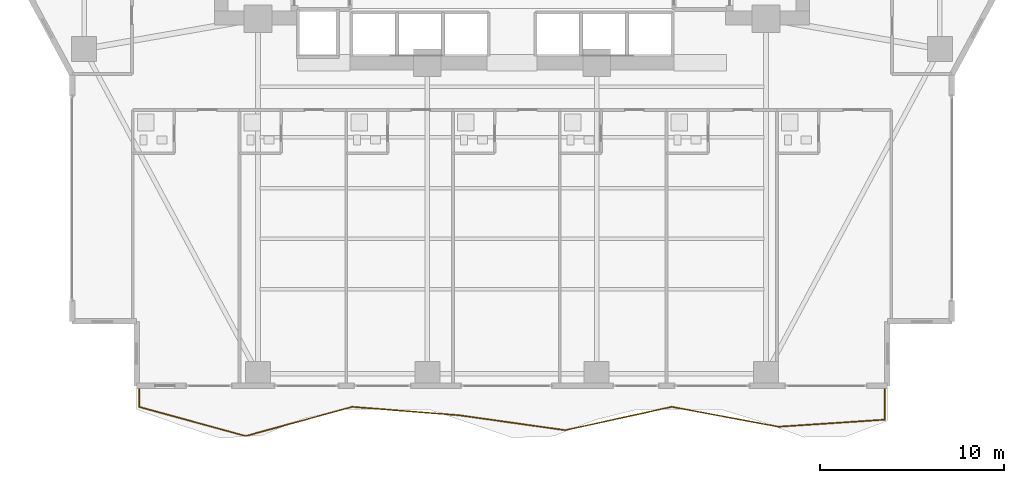
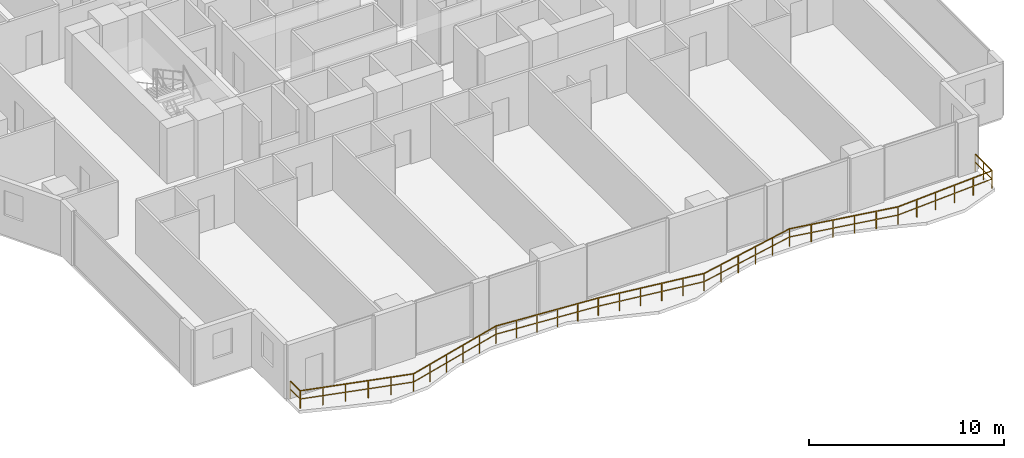
# One storey, part 26 of 29: 1 railing.
"""IFC4 building model written with IfcOpenShell, lengths in metres."""

from ifc_helpers import new_model, si_unit, direction, frame, origin, origin_2d, place, context, subcontext, project, spatial, rectangle, extrude, material, type_object, element, save


model = new_model("IFC4")

# Units and contexts
model_context = context("Model", 3, precision=1e-05, world=origin(), true_north=direction((0.0, 1.0)))
body_context = subcontext(model_context, "Body", "Model", "MODEL_VIEW")
ifc_project = project(units=[si_unit("LENGTHUNIT", "METRE"), si_unit("AREAUNIT", "SQUARE_METRE"), si_unit("VOLUMEUNIT", "CUBIC_METRE"), si_unit("PLANEANGLEUNIT", "RADIAN"), si_unit("MASSUNIT", "GRAM", prefix="KILO")], contexts=[model_context])

# Site, building, storey
site_placement = place(None, origin())
site = spatial("IfcSite", under=ifc_project, at=site_placement, CompositionType="ELEMENT")
building_placement = place(site_placement, origin())
building = spatial("IfcBuilding", under=site, at=building_placement, Name="Zuhayl Quay Hotel", CompositionType="ELEMENT")
storey_placement = place(building_placement, frame((0.0, 0.0, 158.550048828125)))
storey = spatial("IfcBuildingStorey", under=building, at=storey_placement, Name="L40", CompositionType="ELEMENT", Elevation=158.550048828125)

# Railing
ifc_material = material(Name="Anodised Aluminium and Laminated Glass", Category="aluminium")
railing_type = type_object("IfcRailingType", Name="RL_EXT_BAL_1100", PredefinedType="BALUSTRADE", material=ifc_material)
railing_placement = place(storey_placement, frame((-20.260009765625, -15.52001953125, 0.0)))
element("IfcRailing", 1, at=railing_placement, inside=storey, type_object=railing_type, Name="L40 Balcony and Terrace Guard GR_L40_BAL_S", PredefinedType="BALUSTRADE", context=body_context, shape_type="SweptSolid", body=[
    extrude(rectangle(XDim=0.048095703125, YDim=0.048095703125, at=origin_2d()), frame((0.0, 0.0, 1.09619140625), z_axis=(0.0, -1.0, 0.0), x_axis=(1.0, 0.0, 0.0)), (0.0, 0.0, 1.0), 1.02001953125),
    extrude(rectangle(XDim=0.0361328125, YDim=0.0361328125, at=origin_2d()), frame((0.0, 0.0, 0.58251953125), z_axis=(0.0, -1.0, 0.0), x_axis=(1.0, 0.0, 0.0)), (0.0, 0.0, 1.0), 1.02001953125),
    extrude(rectangle(XDim=0.048095703125, YDim=0.048095703125, at=origin_2d()), frame((0.0, -1.02001953125, 1.09619140625), z_axis=(0.964457150791, -0.264239293612, 0.0), x_axis=(0.264239293612, 0.964457150791, 0.0)), (0.0, 0.0, 1.0), 6.001953125),
    extrude(rectangle(XDim=0.0361328125, YDim=0.0361328125, at=origin_2d()), frame((0.0, -1.02001953125, 0.58251953125), z_axis=(0.964457150791, -0.264239293612, 0.0), x_axis=(0.264239293612, 0.964457150791, 0.0)), (0.0, 0.0, 1.0), 6.001953125),
    extrude(rectangle(XDim=0.048095703125, YDim=0.048095703125, at=origin_2d()), frame((5.78857421875, -2.60595703125, 1.09619140625), z_axis=(0.964457150791, 0.264239293612, 0.0), x_axis=(-0.264239293612, 0.964457150791, 0.0)), (0.0, 0.0, 1.0), 6.001953125),
    extrude(rectangle(XDim=0.0361328125, YDim=0.0361328125, at=origin_2d()), frame((5.78857421875, -2.60595703125, 0.58251953125), z_axis=(0.964457150791, 0.264239293612, 0.0), x_axis=(-0.264239293612, 0.964457150791, 0.0)), (0.0, 0.0, 1.0), 6.001953125),
    extrude(rectangle(XDim=0.048095703125, YDim=0.048095703125, at=origin_2d()), frame((11.5771484375, -1.02001953125, 1.09619140625), z_axis=(0.996930532198, -0.078291212609, 0.0), x_axis=(0.078291212609, 0.996930532198, 0.0)), (0.0, 0.0, 1.0), 5.806396484375),
    extrude(rectangle(XDim=0.0361328125, YDim=0.0361328125, at=origin_2d()), frame((11.5771484375, -1.02001953125, 0.58251953125), z_axis=(0.996930532198, -0.078291212609, 0.0), x_axis=(0.078291212609, 0.996930532198, 0.0)), (0.0, 0.0, 1.0), 5.806396484375),
    extrude(rectangle(XDim=0.048095703125, YDim=0.048095703125, at=origin_2d()), frame((17.36572265625, -1.474609375, 1.09619140625), z_axis=(0.990286613339, -0.139041085441, 0.0), x_axis=(0.139041085441, 0.990286613339, 0.0)), (0.0, 0.0, 1.0), 5.845458984375),
    extrude(rectangle(XDim=0.0361328125, YDim=0.0361328125, at=origin_2d()), frame((17.36572265625, -1.474609375, 0.58251953125), z_axis=(0.990286613339, -0.139041085441, 0.0), x_axis=(0.139041085441, 0.990286613339, 0.0)), (0.0, 0.0, 1.0), 5.845458984375),
    extrude(rectangle(XDim=0.048095703125, YDim=0.048095703125, at=origin_2d()), frame((23.154296875, -2.287353515625, 1.09619140625), z_axis=(0.976861834795, 0.213871353202, 0.0), x_axis=(-0.213871353202, 0.976861834795, 0.0)), (0.0, 0.0, 1.0), 5.92578125),
    extrude(rectangle(XDim=0.0361328125, YDim=0.0361328125, at=origin_2d()), frame((23.154296875, -2.287353515625, 0.58251953125), z_axis=(0.976861834795, 0.213871353202, 0.0), x_axis=(-0.213871353202, 0.976861834795, 0.0)), (0.0, 0.0, 1.0), 5.92578125),
    extrude(rectangle(XDim=0.048095703125, YDim=0.048095703125, at=origin_2d()), frame((28.94287109375, -1.02001953125, 1.09619140625), z_axis=(0.98304168129, -0.183382258808, 0.0), x_axis=(0.183382258808, 0.98304168129, 0.0)), (0.0, 0.0, 1.0), 5.888427734375),
    extrude(rectangle(XDim=0.0361328125, YDim=0.0361328125, at=origin_2d()), frame((28.94287109375, -1.02001953125, 0.58251953125), z_axis=(0.98304168129, -0.183382258808, 0.0), x_axis=(0.183382258808, 0.98304168129, 0.0)), (0.0, 0.0, 1.0), 5.888427734375),
    extrude(rectangle(XDim=0.048095703125, YDim=0.048095703125, at=origin_2d()), frame((34.7314453125, -2.099853515625, 1.09619140625), z_axis=(0.997817625487, 0.066030192087, 0.0), x_axis=(-0.066030192087, 0.997817625487, 0.0)), (0.0, 0.0, 1.0), 5.80126953125),
    extrude(rectangle(XDim=0.0361328125, YDim=0.0361328125, at=origin_2d()), frame((34.7314453125, -2.099853515625, 0.58251953125), z_axis=(0.997817625487, 0.066030192087, 0.0), x_axis=(-0.066030192087, 0.997817625487, 0.0)), (0.0, 0.0, 1.0), 5.80126953125),
    extrude(rectangle(XDim=0.048095703125, YDim=0.048095703125, at=origin_2d()), frame((40.52001953125, -1.716796875, 1.09619140625), z_axis=(0.0, 1.0, 0.0), x_axis=(-1.0, 0.0, 0.0)), (0.0, 0.0, 1.0), 1.716796875),
    extrude(rectangle(XDim=0.0361328125, YDim=0.0361328125, at=origin_2d()), frame((40.52001953125, -1.716796875, 0.58251953125), z_axis=(0.0, 1.0, 0.0), x_axis=(-1.0, 0.0, 0.0)), (0.0, 0.0, 1.0), 1.716796875),
    extrude(rectangle(XDim=0.0419921875, YDim=0.0419921875, at=origin_2d()), origin(), (0.0, 0.0, 1.0), 1.072021484375),
    extrude(rectangle(XDim=0.0419921875, YDim=0.0419921875, at=origin_2d()), frame((0.0, -1.02001953125, 0.0)), (0.0, 0.0, 1.0), 1.072021484375),
    extrude(rectangle(XDim=0.0419921875, YDim=0.0419921875, at=origin_2d()), frame((1.15771484375, -1.337158203125, 0.0)), (0.0, 0.0, 1.0), 1.072021484375),
    extrude(rectangle(XDim=0.0419921875, YDim=0.0419921875, at=origin_2d()), frame((2.3154296875, -1.654296875, 0.0)), (0.0, 0.0, 1.0), 1.072021484375),
    extrude(rectangle(XDim=0.0419921875, YDim=0.0419921875, at=origin_2d()), frame((3.47314453125, -1.9716796875, 0.0)), (0.0, 0.0, 1.0), 1.072021484375),
    extrude(rectangle(XDim=0.0419921875, YDim=0.0419921875, at=origin_2d()), frame((4.630859375, -2.288818359375, 0.0)), (0.0, 0.0, 1.0), 1.072021484375),
    extrude(rectangle(XDim=0.0419921875, YDim=0.0419921875, at=origin_2d()), frame((5.78857421875, -2.60595703125, 0.0)), (0.0, 0.0, 1.0), 1.072021484375),
    extrude(rectangle(XDim=0.0419921875, YDim=0.0419921875, at=origin_2d()), frame((6.9462890625, -2.288818359375, 0.0)), (0.0, 0.0, 1.0), 1.072021484375),
    extrude(rectangle(XDim=0.0419921875, YDim=0.0419921875, at=origin_2d()), frame((8.10400390625, -1.9716796875, 0.0)), (0.0, 0.0, 1.0), 1.072021484375),
    extrude(rectangle(XDim=0.0419921875, YDim=0.0419921875, at=origin_2d()), frame((9.26171875, -1.654296875, 0.0)), (0.0, 0.0, 1.0), 1.072021484375),
    extrude(rectangle(XDim=0.0419921875, YDim=0.0419921875, at=origin_2d()), frame((10.41943359375, -1.337158203125, 0.0)), (0.0, 0.0, 1.0), 1.072021484375),
    extrude(rectangle(XDim=0.0419921875, YDim=0.0419921875, at=origin_2d()), frame((11.5771484375, -1.02001953125, 0.0)), (0.0, 0.0, 1.0), 1.072021484375),
    extrude(rectangle(XDim=0.0419921875, YDim=0.0419921875, at=origin_2d()), frame((12.73486328125, -1.11083984375, 0.0)), (0.0, 0.0, 1.0), 1.072021484375),
    extrude(rectangle(XDim=0.0419921875, YDim=0.0419921875, at=origin_2d()), frame((13.892578125, -1.201904296875, 0.0)), (0.0, 0.0, 1.0), 1.072021484375),
    extrude(rectangle(XDim=0.0419921875, YDim=0.0419921875, at=origin_2d()), frame((15.05029296875, -1.292724609375, 0.0)), (0.0, 0.0, 1.0), 1.072021484375),
    extrude(rectangle(XDim=0.0419921875, YDim=0.0419921875, at=origin_2d()), frame((16.2080078125, -1.3837890625, 0.0)), (0.0, 0.0, 1.0), 1.072021484375),
    extrude(rectangle(XDim=0.0419921875, YDim=0.0419921875, at=origin_2d()), frame((17.36572265625, -1.474609375, 0.0)), (0.0, 0.0, 1.0), 1.072021484375),
    extrude(rectangle(XDim=0.0419921875, YDim=0.0419921875, at=origin_2d()), frame((18.5234375, -1.63720703125, 0.0)), (0.0, 0.0, 1.0), 1.072021484375),
    extrude(rectangle(XDim=0.0419921875, YDim=0.0419921875, at=origin_2d()), frame((19.68115234375, -1.7998046875, 0.0)), (0.0, 0.0, 1.0), 1.072021484375),
    extrude(rectangle(XDim=0.0419921875, YDim=0.0419921875, at=origin_2d()), frame((20.8388671875, -1.962158203125, 0.0)), (0.0, 0.0, 1.0), 1.072021484375),
    extrude(rectangle(XDim=0.0419921875, YDim=0.0419921875, at=origin_2d()), frame((21.99658203125, -2.124755859375, 0.0)), (0.0, 0.0, 1.0), 1.072021484375),
    extrude(rectangle(XDim=0.0419921875, YDim=0.0419921875, at=origin_2d()), frame((23.154296875, -2.287353515625, 0.0)), (0.0, 0.0, 1.0), 1.072021484375),
    extrude(rectangle(XDim=0.0419921875, YDim=0.0419921875, at=origin_2d()), frame((24.31201171875, -2.033935546875, 0.0)), (0.0, 0.0, 1.0), 1.072021484375),
    extrude(rectangle(XDim=0.0419921875, YDim=0.0419921875, at=origin_2d()), frame((25.4697265625, -1.780517578125, 0.0)), (0.0, 0.0, 1.0), 1.072021484375),
    extrude(rectangle(XDim=0.0419921875, YDim=0.0419921875, at=origin_2d()), frame((26.62744140625, -1.52685546875, 0.0)), (0.0, 0.0, 1.0), 1.072021484375),
    extrude(rectangle(XDim=0.0419921875, YDim=0.0419921875, at=origin_2d()), frame((27.78515625, -1.2734375, 0.0)), (0.0, 0.0, 1.0), 1.072021484375),
    extrude(rectangle(XDim=0.0419921875, YDim=0.0419921875, at=origin_2d()), frame((28.94287109375, -1.02001953125, 0.0)), (0.0, 0.0, 1.0), 1.072021484375),
    extrude(rectangle(XDim=0.0419921875, YDim=0.0419921875, at=origin_2d()), frame((30.1005859375, -1.236083984375, 0.0)), (0.0, 0.0, 1.0), 1.072021484375),
    extrude(rectangle(XDim=0.0419921875, YDim=0.0419921875, at=origin_2d()), frame((31.25830078125, -1.451904296875, 0.0)), (0.0, 0.0, 1.0), 1.072021484375),
    extrude(rectangle(XDim=0.0419921875, YDim=0.0419921875, at=origin_2d()), frame((32.416015625, -1.66796875, 0.0)), (0.0, 0.0, 1.0), 1.072021484375),
    extrude(rectangle(XDim=0.0419921875, YDim=0.0419921875, at=origin_2d()), frame((33.57373046875, -1.8837890625, 0.0)), (0.0, 0.0, 1.0), 1.072021484375),
    extrude(rectangle(XDim=0.0419921875, YDim=0.0419921875, at=origin_2d()), frame((34.7314453125, -2.099853515625, 0.0)), (0.0, 0.0, 1.0), 1.072021484375),
    extrude(rectangle(XDim=0.0419921875, YDim=0.0419921875, at=origin_2d()), frame((35.88916015625, -2.023193359375, 0.0)), (0.0, 0.0, 1.0), 1.072021484375),
    extrude(rectangle(XDim=0.0419921875, YDim=0.0419921875, at=origin_2d()), frame((37.046875, -1.946533203125, 0.0)), (0.0, 0.0, 1.0), 1.072021484375),
    extrude(rectangle(XDim=0.0419921875, YDim=0.0419921875, at=origin_2d()), frame((38.20458984375, -1.8701171875, 0.0)), (0.0, 0.0, 1.0), 1.072021484375),
    extrude(rectangle(XDim=0.0419921875, YDim=0.0419921875, at=origin_2d()), frame((39.3623046875, -1.79345703125, 0.0)), (0.0, 0.0, 1.0), 1.072021484375),
    extrude(rectangle(XDim=0.0419921875, YDim=0.0419921875, at=origin_2d()), frame((40.52001953125, -1.716796875, 0.0)), (0.0, 0.0, 1.0), 1.072021484375),
    extrude(rectangle(XDim=0.0419921875, YDim=0.0419921875, at=origin_2d()), frame((40.52001953125, -0.8583984375, 0.0)), (0.0, 0.0, 1.0), 1.072021484375),
    extrude(rectangle(XDim=0.0419921875, YDim=0.0419921875, at=origin_2d()), frame((40.52001953125, 0.0, 0.0)), (0.0, 0.0, 1.0), 1.072021484375),
])

save(model, "model.ifc")
